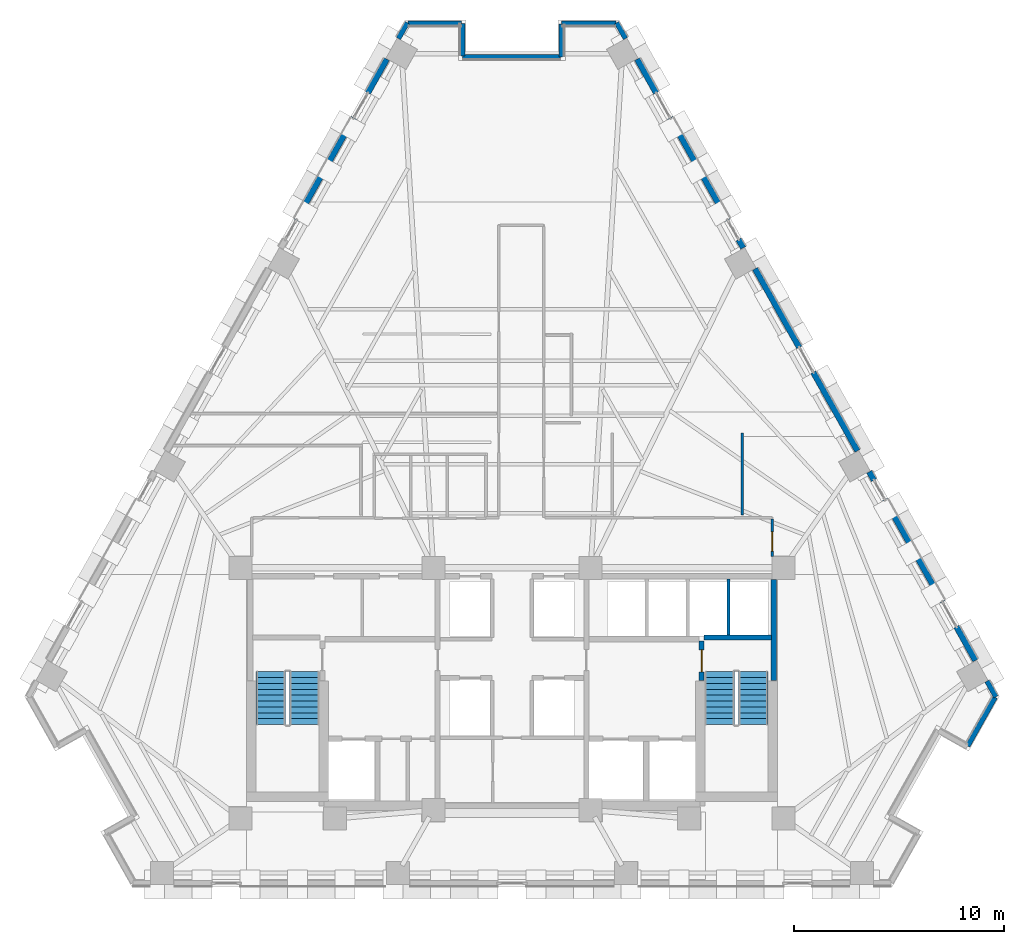
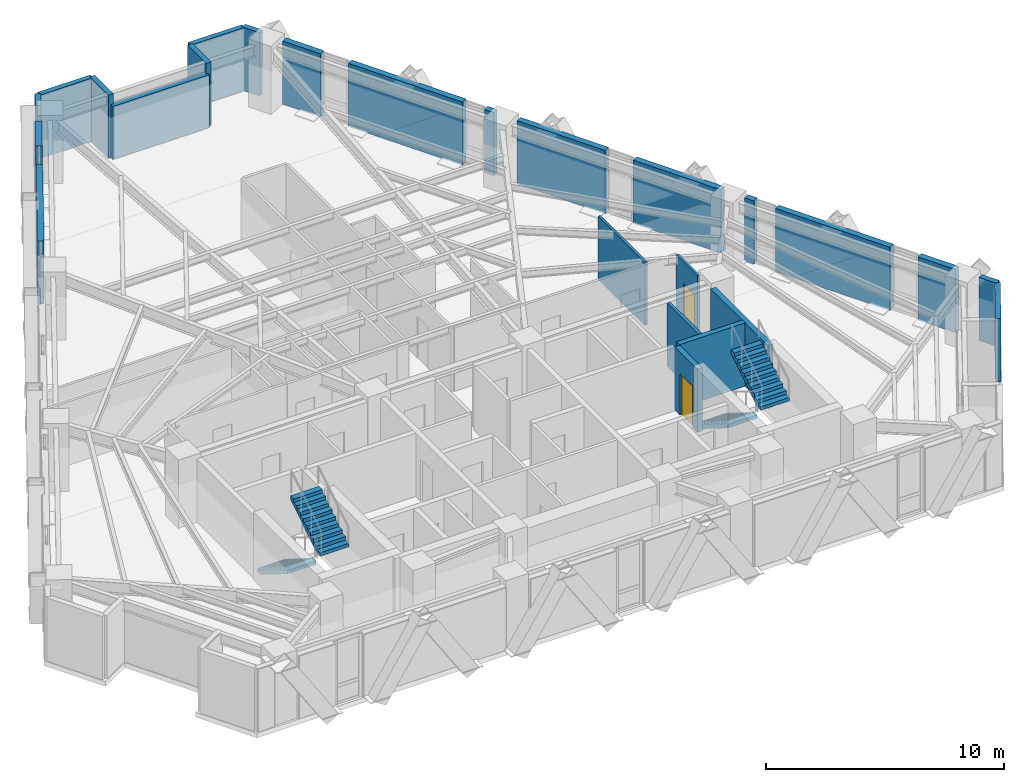
# One storey, part 9 of 13: 25 walls, 4 stair flights, 2 doors, 2 openings, 2 elements without a shape of their own.
"""IFC4 building model written with IfcOpenShell, lengths in metres."""

from ifc_helpers import new_model, si_unit, direction, frame, frame_2d, origin, place, context, subcontext, project, spatial, polyline, rectangle, outline, extrude, material, layer, layer_set, type_object, element, fill, aggregate, save


model = new_model("IFC4")

# Units and contexts
model_context = context("Model", 3, precision=1e-05, world=origin(), true_north=direction((0.0, 1.0)))
body_context = subcontext(model_context, "Body", "Model", "MODEL_VIEW")
ifc_project = project(units=[si_unit("LENGTHUNIT", "METRE"), si_unit("AREAUNIT", "SQUARE_METRE"), si_unit("VOLUMEUNIT", "CUBIC_METRE"), si_unit("PLANEANGLEUNIT", "RADIAN"), si_unit("MASSUNIT", "GRAM", prefix="KILO")], contexts=[model_context])

# Site, building, storey
site_placement = place(None, origin())
site = spatial("IfcSite", under=ifc_project, at=site_placement, CompositionType="ELEMENT")
building_placement = place(site_placement, origin())
building = spatial("IfcBuilding", under=site, at=building_placement, Name="Quenlor Broadcast Tower", CompositionType="ELEMENT")
storey_placement = place(building_placement, frame((0.0, 0.0, 105.5)))
storey = spatial("IfcBuildingStorey", under=building, at=storey_placement, Name="L28", CompositionType="ELEMENT", Elevation=105.5)

# Wall, opening, door
ifc_material_1 = material(Name="Concrete C40/50", Category="concrete")
ifc_layer_1 = layer(ifc_material_1, 0.25)
ifc_layer_set_1 = layer_set([ifc_layer_1], Name="Fire Rated Concrete C40/50 Core Wall 250")
wall_type_1 = type_object("IfcWallType", Name="Fire Rated Concrete C40/50 Core Wall 250", PredefinedType="PARTITIONING", material=ifc_layer_set_1)
wall_1_placement = place(storey_placement, frame((9.0400390625, -10.179931640625, 0.0), z_axis=(0.0, 0.0, 1.0), x_axis=(0.0, 1.0, 0.0)))
wall_1 = element("IfcWall", 1, at=wall_1_placement, inside=storey, type_object=wall_type_1, Name="L28 Interior Wall CW-ST2-DR", PredefinedType="PARTITIONING", context=body_context, shape_type="SweptSolid", body=[
    extrude(rectangle(XDim=1.89990234375, YDim=0.25, at=frame_2d((0.949951171875, 0.0))), origin(), (0.0, 0.0, 1.0), 3.25),
])
opening_1_placement = place(wall_1_placement, frame((0.419921875, 0.0, 0.0)))
opening_1 = element("IfcOpeningElement", 2, at=opening_1_placement, cuts=wall_1, Name="Opening FD-1", PredefinedType="OPENING", context=body_context, shape_type="SweptSolid", body=[
    extrude(rectangle(XDim=1.050048828125, YDim=2.14990234375, at=frame_2d((0.52490234375, 1.074951171875))), frame((0.0, 0.135009765625, 0.0), z_axis=(0.0, -1.0, 0.0), x_axis=(1.0, 0.0, 0.0)), (0.0, 0.0, 1.0), 0.27001953125),
])
ifc_material_2 = material(Name="Fire Rated Steel Door Leaf", Category="steel")
door_type_1 = type_object("IfcDoorType", Name="Fire Isolated Stair Door 1050x2150", OperationType="NOTDEFINED", PredefinedType="DOOR", material=ifc_material_2)
door_1_placement = place(opening_1_placement, origin())
door_1 = element("IfcDoor", 3, at=door_1_placement, inside=storey, type_object=door_type_1, Name="L28 Door DR-ST2", OperationType="SINGLE_SWING_RIGHT", OverallHeight=2.14990234375, OverallWidth=1.050048828125, PredefinedType="DOOR", context=body_context, shape_type="SweptSolid", body=[
    extrude(rectangle(XDim=1.050048828125, YDim=2.14990234375, at=frame_2d((0.52490234375, 1.074951171875))), frame((0.0, 0.02490234375, 0.0), z_axis=(0.0, -1.0, 0.0), x_axis=(1.0, 0.0, 0.0)), (0.0, 0.0, 1.0), 0.050048828125),
])
fill(opening_1, door_1)

# Walls
wall_2_placement = place(storey_placement, frame((9.159912109375, -8.1201171875, 0.0), z_axis=(0.0, 0.0, 1.0), x_axis=(1.0, 0.0, 0.0)))
element("IfcWall", 4, at=wall_2_placement, inside=storey, type_object=wall_type_1, Name="L28 Interior Wall CW-ST2-N", PredefinedType="PARTITIONING", context=body_context, shape_type="SweptSolid", body=[
    extrude(rectangle(XDim=3.219970703125, YDim=0.25, at=frame_2d((1.60986328125, 0.0))), origin(), (0.0, 0.0, 1.0), 3.25),
])
wall_3_placement = place(storey_placement, frame((12.47998046875, -10.179931640625, 0.0), z_axis=(0.0, 0.0, 1.0), x_axis=(0.0, 1.0, 0.0)))
element("IfcWall", 5, at=wall_3_placement, inside=storey, type_object=wall_type_1, Name="L28 Interior Wall CW-ST2-E2", PredefinedType="PARTITIONING", context=body_context, shape_type="SweptSolid", body=[
    extrude(rectangle(XDim=4.827880859375, YDim=0.25, at=frame_2d((2.4140625, 0.0))), origin(), (0.0, 0.0, 1.0), 3.25),
])
ifc_material_3 = material(Name="Gypsum Fireboard Partition", Category="other")
ifc_layer_2 = layer(ifc_material_3, 0.159912109375)
ifc_layer_set_2 = layer_set([ifc_layer_2], Name="Fire Rated Shaft and Corridor Partition 160")
wall_type_2 = type_object("IfcWallType", Name="Fire Rated Shaft and Corridor Partition 160", PredefinedType="PARTITIONING", material=ifc_layer_set_2)
wall_4_placement = place(storey_placement, frame((10.324951171875, -7.992919921875, 0.0), z_axis=(0.0, 0.0, 1.0), x_axis=(0.0, 1.0, 0.0)))
element("IfcWall", 6, at=wall_4_placement, inside=storey, type_object=wall_type_2, Name="L28 Interior Wall CW-PLH-D3", PredefinedType="PARTITIONING", context=body_context, shape_type="SweptSolid", body=[
    extrude(rectangle(XDim=2.65283203125, YDim=0.159912109375, at=frame_2d((1.326416015625, 0.0))), origin(), (0.0, 0.0, 1.0), 3.25),
])

# Wall, opening, door
ifc_material_4 = material(Name="Gypsum Plasterboard Partition", Category="other")
ifc_layer_3 = layer(ifc_material_4, 0.1201171875)
ifc_layer_set_3 = layer_set([ifc_layer_3], Name="Standard Office Partition 120")
wall_type_3 = type_object("IfcWallType", Name="Standard Office Partition 120", PredefinedType="PARTITIONING", material=ifc_layer_set_3)
wall_5_placement = place(storey_placement, frame((12.409912109375, -2.4619140625, 0.0), z_axis=(0.0, 0.0, 1.0), x_axis=(0.0, -1.0, 0.0)))
wall_5 = element("IfcWall", 7, at=wall_5_placement, inside=storey, type_object=wall_type_3, Name="L28 Interior Wall PW-CR-07", PredefinedType="PARTITIONING", context=body_context, shape_type="SweptSolid", body=[
    extrude(rectangle(XDim=1.7861328125, YDim=0.1201171875, at=frame_2d((0.89306640625, 0.0))), origin(), (0.0, 0.0, 1.0), 3.25),
])
opening_2_placement = place(wall_5_placement, frame((0.623046875, 0.0, 0.0)))
opening_2 = element("IfcOpeningElement", 8, at=opening_2_placement, cuts=wall_5, Name="Opening ID-1", PredefinedType="OPENING", context=body_context, shape_type="SweptSolid", body=[
    extrude(rectangle(XDim=0.919921875, YDim=2.1201171875, at=frame_2d((0.4599609375, 1.06005859375))), frame((0.0, 0.070068359375, 0.0), z_axis=(0.0, -1.0, 0.0), x_axis=(1.0, 0.0, 0.0)), (0.0, 0.0, 1.0), 0.14013671875),
])
ifc_material_5 = material(Name="Solid Core Timber Oak", Category="wood")
door_type_2 = type_object("IfcDoorType", Name="Single Leaf Timber Office Door 920x2120", OperationType="NOTDEFINED", PredefinedType="DOOR", material=ifc_material_5)
door_2_placement = place(opening_2_placement, origin())
door_2 = element("IfcDoor", 9, at=door_2_placement, inside=storey, type_object=door_type_2, Name="L28 Door DR-RM07", OperationType="SINGLE_SWING_LEFT", OverallHeight=2.1201171875, OverallWidth=0.919921875, PredefinedType="DOOR", context=body_context, shape_type="SweptSolid", body=[
    extrude(rectangle(XDim=0.919921875, YDim=2.1201171875, at=frame_2d((0.4599609375, 1.06005859375))), frame((0.0, 0.02490234375, 0.0), z_axis=(0.0, -1.0, 0.0), x_axis=(1.0, 0.0, 0.0)), (0.0, 0.0, 1.0), 0.050048828125),
])
fill(opening_2, door_2)

# Walls
wall_6_placement = place(storey_placement, frame((10.982421875, 1.639892578125, 0.0), z_axis=(0.0, 0.0, 1.0), x_axis=(0.0, -1.0, 0.0)))
element("IfcWall", 10, at=wall_6_placement, inside=storey, type_object=wall_type_3, Name="L28 Interior Wall PW-DV-08", PredefinedType="PARTITIONING", context=body_context, shape_type="SweptSolid", body=[
    extrude(rectangle(XDim=3.929931640625, YDim=0.1201171875, at=frame_2d((1.96484375, 0.0))), origin(), (0.0, 0.0, 1.0), 3.25),
])
ifc_material_6 = material(Name="Precast concrete C40/50", Category="concrete")
ifc_layer_4 = layer(ifc_material_6, 0.239990234375)
ifc_layer_set_4 = layer_set([ifc_layer_4], Name="Terrace Threshold Precast Concrete C40/50 Wall 240")
wall_type_4 = type_object("IfcWallType", Name="Terrace Threshold Precast Concrete C40/50 Wall 240", PredefinedType="STANDARD", material=ifc_layer_set_4)
for number, where, z_axis, x_axis, name in (
    (11, (4.992919921875, 21.197265625, 0.0), (0.0, 0.0, 1.0), (0.490355003566, -0.871522788272, 0.0), "L28 Exterior Wall L28-SHD-NES0"),
    (12, (22.65380859375, -10.199951171875, 0.0), (0.0, 0.0, 1.0), (0.490355003566, -0.871522788272, 0.0), "L28 Exterior Wall L28-SHD-NES1"),
    (13, (-5.417236328125, 20.443115234375, 0.0), (0.0, 0.0, 1.0), (0.490355003566, 0.871522788272, 0.0), "L28 Exterior Wall L28-SHD-NWS1"),
):
    element("IfcWall", number, at=place(storey_placement, frame(where, z_axis=z_axis, x_axis=x_axis)), inside=storey, type_object=wall_type_4, Name=name, PredefinedType="STANDARD", context=body_context, shape_type="SweptSolid", body=[
        extrude(rectangle(XDim=0.865234375, YDim=0.239990234375, at=frame_2d((0.4326171875, 0.0))), origin(), (0.0, 0.0, 1.0), 3.25),
    ])
wall_7_placement = place(storey_placement, frame((21.732666015625, -13.293701171875, 0.0), z_axis=(0.0, 0.0, 1.0), x_axis=(0.490265590412, 0.871573089797, 0.0)))
element("IfcWall", 14, at=wall_7_placement, inside=storey, type_object=wall_type_4, Name="L28 Exterior Wall L28-CNR-04", PredefinedType="STANDARD", context=body_context, shape_type="SweptSolid", body=[
    extrude(rectangle(XDim=2.6640625, YDim=0.239990234375, at=frame_2d((1.33203125, 0.0))), origin(), (0.0, 0.0, 1.0), 3.25),
])
wall_8_placement = place(storey_placement, frame((4.95947265625, 21.16796875, 0.0), z_axis=(0.0, 0.0, 1.0), x_axis=(-1.0, 0.0, 0.0)))
element("IfcWall", 15, at=wall_8_placement, inside=storey, type_object=wall_type_4, Name="L28 Exterior Wall L28-CNR-06", PredefinedType="STANDARD", context=body_context, shape_type="SweptSolid", body=[
    extrude(rectangle(XDim=2.599365234375, YDim=0.239990234375, at=frame_2d((1.2998046875, 0.0))), origin(), (0.0, 0.0, 1.0), 3.25),
])
wall_9_placement = place(storey_placement, frame((2.360107421875, 21.1279296875, 0.0), z_axis=(0.0, 0.0, 1.0), x_axis=(0.0, -1.0, 0.0)))
element("IfcWall", 16, at=wall_9_placement, inside=storey, type_object=wall_type_4, Name="L28 Exterior Wall L28-CNR-07", PredefinedType="STANDARD", context=body_context, shape_type="SweptSolid", body=[
    extrude(rectangle(XDim=1.559814453125, YDim=0.239990234375, at=frame_2d((0.77978515625, 0.0))), origin(), (0.0, 0.0, 1.0), 3.25),
])
wall_10_placement = place(storey_placement, frame((2.320068359375, 19.568115234375, 0.0), z_axis=(0.0, 0.0, 1.0), x_axis=(-1.0, 0.0, 0.0)))
element("IfcWall", 17, at=wall_10_placement, inside=storey, type_object=wall_type_4, Name="L28 Exterior Wall L28-CNR-08", PredefinedType="STANDARD", context=body_context, shape_type="SweptSolid", body=[
    extrude(rectangle(XDim=4.68017578125, YDim=0.239990234375, at=frame_2d((2.340087890625, 0.0))), origin(), (0.0, 0.0, 1.0), 2.7216796875),
])
wall_11_placement = place(storey_placement, frame((-2.360107421875, 19.60791015625, 0.0), z_axis=(0.0, 0.0, 1.0), x_axis=(0.0, 1.0, 0.0)))
element("IfcWall", 18, at=wall_11_placement, inside=storey, type_object=wall_type_4, Name="L28 Exterior Wall L28-CNR-09", PredefinedType="STANDARD", context=body_context, shape_type="SweptSolid", body=[
    extrude(rectangle(XDim=1.56005859375, YDim=0.239990234375, at=frame_2d((0.780029296875, 0.0))), origin(), (0.0, 0.0, 1.0), 3.25),
])
wall_12_placement = place(storey_placement, frame((-2.39990234375, 21.16796875, 0.0), z_axis=(0.0, 0.0, 1.0), x_axis=(-1.0, 0.0, 0.0)))
element("IfcWall", 19, at=wall_12_placement, inside=storey, type_object=wall_type_4, Name="L28 Exterior Wall L28-CNR-10", PredefinedType="STANDARD", context=body_context, shape_type="SweptSolid", body=[
    extrude(rectangle(XDim=2.5595703125, YDim=0.239990234375, at=frame_2d((1.27978515625, 0.0))), origin(), (0.0, 0.0, 1.0), 3.25),
])
ifc_material_7 = material(Name="Precast concrete C40/50", Category="concrete")
ifc_layer_5 = layer(ifc_material_7, 0.280029296875)
ifc_layer_set_5 = layer_set([ifc_layer_5], Name="Terracotta Precast Concrete C40/50 Facade Wall 280")
wall_type_5 = type_object("IfcWallType", Name="Terracotta Precast Concrete C40/50 Facade Wall 280", PredefinedType="STANDARD", material=ifc_layer_set_5)
wall_13_placement = place(storey_placement, frame((5.97119140625, 19.458251953125, 0.0), z_axis=(0.0, 0.0, 1.0), x_axis=(0.490280102884, -0.871564926277, 0.0)))
element("IfcWall", 20, at=wall_13_placement, inside=storey, type_object=wall_type_5, Name="L28 Exterior Wall L28-NEA-SP1", PredefinedType="STANDARD", context=body_context, shape_type="SweptSolid", body=[
    extrude(rectangle(XDim=1.843505859375, YDim=0.280029296875, at=frame_2d((0.921875, 0.0))), origin(), (0.0, 0.0, 1.0), 3.25),
])
wall_14_placement = place(storey_placement, frame((7.543701171875, 16.662353515625, 0.0), z_axis=(0.0, 0.0, 1.0), x_axis=(0.490298514233, -0.871554569113, 0.0)))
element("IfcWall", 21, at=wall_14_placement, inside=storey, type_object=wall_type_5, Name="L28 Exterior Wall L28-NEA-SP2", PredefinedType="STANDARD", context=body_context, shape_type="SweptSolid", body=[
    extrude(rectangle(XDim=5.597412109375, YDim=0.280029296875, at=frame_2d((2.798828125, 0.0))), origin(), (0.0, 0.0, 1.0), 3.25),
])
for number, where, z_axis, x_axis, name in (
    (22, (10.806396484375, 10.862060546875, 0.0), (0.0, 0.0, 1.0), (0.490412424957, -0.871490478116, 0.0), "L28 Exterior Wall L28-NEA-SP3"),
    (23, (17.0390625, -0.218017578125, 0.0), (0.0, 0.0, 1.0), (0.490009165718, -0.871717280724, 0.0), "L28 Exterior Wall L28-NEC-SP1"),
):
    element("IfcWall", number, at=place(storey_placement, frame(where, z_axis=z_axis, x_axis=x_axis)), inside=storey, type_object=wall_type_5, Name=name, PredefinedType="STANDARD", context=body_context, shape_type="SweptSolid", body=[
        extrude(rectangle(XDim=0.4599609375, YDim=0.280029296875, at=frame_2d((0.22998046875, 0.0))), origin(), (0.0, 0.0, 1.0), 3.25),
    ])
wall_15_placement = place(storey_placement, frame((17.782958984375, -1.540771484375, 0.0), z_axis=(0.0, 0.0, 1.0), x_axis=(0.490265381388, -0.871573207374, 0.0)))
element("IfcWall", 24, at=wall_15_placement, inside=storey, type_object=wall_type_5, Name="L28 Exterior Wall L28-NEC-SP2", PredefinedType="STANDARD", context=body_context, shape_type="SweptSolid", body=[
    extrude(rectangle(XDim=5.59716796875, YDim=0.280029296875, at=frame_2d((2.798583984375, 0.0))), origin(), (0.0, 0.0, 1.0), 3.25),
])
wall_16_placement = place(storey_placement, frame((21.196044921875, -7.6083984375, 0.0), z_axis=(0.0, 0.0, 1.0), x_axis=(0.490280102884, -0.871564926277, 0.0)))
element("IfcWall", 25, at=wall_16_placement, inside=storey, type_object=wall_type_5, Name="L28 Exterior Wall L28-NEC-SP3", PredefinedType="STANDARD", context=body_context, shape_type="SweptSolid", body=[
    extrude(rectangle(XDim=1.843505859375, YDim=0.280029296875, at=frame_2d((0.921875, 0.0))), origin(), (0.0, 0.0, 1.0), 3.25),
])
for number, where, z_axis, x_axis, name in (
    (26, (11.59326171875, 9.463134765625, 0.0), (0.0, 0.0, 1.0), (0.490293592365, -0.871557337922, 0.0), "L28 Exterior Wall L28-NE-SP1"),
    (27, (14.369873046875, 4.527099609375, 0.0), (0.0, 0.0, 1.0), (0.490293592365, -0.871557337922, 0.0), "L28 Exterior Wall L28-NE-SP2"),
):
    element("IfcWall", number, at=place(storey_placement, frame(where, z_axis=z_axis, x_axis=x_axis)), inside=storey, type_object=wall_type_5, Name=name, PredefinedType="STANDARD", context=body_context, shape_type="SweptSolid", body=[
        extrude(rectangle(XDim=4.29931640625, YDim=0.280029296875, at=frame_2d((2.149658203125, 0.0))), origin(), (0.0, 0.0, 1.0), 3.25),
    ])
wall_17_placement = place(storey_placement, frame((-10.2880859375, 11.783935546875, 0.0), z_axis=(0.0, 0.0, 1.0), x_axis=(0.490298514233, 0.871554569113, 0.0)))
element("IfcWall", 28, at=wall_17_placement, inside=storey, type_object=wall_type_5, Name="L28 Exterior Wall L28-NWC-SP2", PredefinedType="STANDARD", context=body_context, shape_type="SweptSolid", body=[
    extrude(rectangle(XDim=5.597412109375, YDim=0.280029296875, at=frame_2d((2.798828125, 0.0))), origin(), (0.0, 0.0, 1.0), 3.25),
])
wall_18_placement = place(storey_placement, frame((-6.875, 17.8515625, 0.0), z_axis=(0.0, 0.0, 1.0), x_axis=(0.490280102884, 0.871564926277, 0.0)))
element("IfcWall", 29, at=wall_18_placement, inside=storey, type_object=wall_type_5, Name="L28 Exterior Wall L28-NWC-SP3", PredefinedType="STANDARD", context=body_context, shape_type="SweptSolid", body=[
    extrude(rectangle(XDim=1.843505859375, YDim=0.280029296875, at=frame_2d((0.921875, 0.0))), origin(), (0.0, 0.0, 1.0), 3.25),
])

# Stair, stair flights
ifc_material_8 = material(Name="Precast concrete C40/50", Category="concrete")
stair_type = type_object("IfcStairType", Name="Precast Concrete C40/50 Dogleg Stair H350", PredefinedType="HALF_TURN_STAIR", material=ifc_material_8)
stair_1_placement = place(storey_placement, origin())
stair_1 = element("IfcStair", 30, at=stair_1_placement, inside=storey, type_object=stair_type, Name="L28 West Core Fire-Isolated Exit Stair ST-1", PredefinedType="HALF_TURN_STAIR")
ifc_material_9 = material(Name="Precast concrete C40/50", Category="concrete")
ifc_layer_6 = layer(ifc_material_9, 0.159912109375)
ifc_layer_set_6 = layer_set([ifc_layer_6], Name="Precast Concrete C40/50 Stair Flight H350")
stair_flight_type = type_object("IfcStairFlightType", Name="Precast Concrete C40/50 Stair Flight H350", PredefinedType="STRAIGHT", material=ifc_layer_set_6)
stair_flight_1_placement = place(storey_placement, frame((-11.5, -9.75, 0.0), z_axis=(0.0, 0.0, 1.0), x_axis=(0.0, -1.0, 0.0)))
stair_flight_1 = element("IfcStairFlight", 31, at=stair_flight_1_placement, type_object=stair_flight_type, Name="ST-1 flight 1", NumberOfRisers=10, NumberOfTreads=9, PredefinedType="STRAIGHT", RiserHeight=0.175, TreadLength=0.28, context=body_context, shape_type="SweptSolid", body=[
    extrude(outline(polyline([(0.0, 0.0), (0.0, 0.175048828125), (0.280029296875, 0.175048828125), (0.280029296875, 0.35009765625), (0.56005859375, 0.35009765625), (0.56005859375, 0.52490234375), (0.840087890625, 0.52490234375), (0.840087890625, 0.699951171875), (1.1201171875, 0.699951171875), (1.1201171875, 0.875), (1.39990234375, 0.875), (1.39990234375, 1.050048828125), (1.679931640625, 1.050048828125), (1.679931640625, 1.22509765625), (1.9599609375, 1.22509765625), (1.9599609375, 1.39990234375), (2.239990234375, 1.39990234375), (2.239990234375, 1.574951171875), (2.52001953125, 1.574951171875), (2.52001953125, 1.75), (2.52001953125, 1.398193359375), (0.28271484375, 0.0), (0.0, 0.0)])), frame((0.0, 0.699951171875, 0.0), z_axis=(0.0, -1.0, 0.0), x_axis=(1.0, 0.0, 0.0)), (0.0, 0.0, 1.0), 1.39990234375),
])
stair_flight_2_placement = place(storey_placement, frame((-9.89990234375, -12.27001953125, 1.75), z_axis=(0.0, 0.0, 1.0), x_axis=(0.0, 1.0, 0.0)))
stair_flight_2 = element("IfcStairFlight", 32, at=stair_flight_2_placement, type_object=stair_flight_type, Name="ST-1 flight 2", NumberOfRisers=10, NumberOfTreads=9, PredefinedType="STRAIGHT", RiserHeight=0.175, TreadLength=0.28, context=body_context, shape_type="SweptSolid", body=[
    extrude(outline(polyline([(0.0, 0.0), (0.0, 0.175048828125), (0.280029296875, 0.175048828125), (0.280029296875, 0.35009765625), (0.56005859375, 0.35009765625), (0.56005859375, 0.52490234375), (0.840087890625, 0.52490234375), (0.840087890625, 0.699951171875), (1.1201171875, 0.699951171875), (1.1201171875, 0.875), (1.39990234375, 0.875), (1.39990234375, 1.050048828125), (1.679931640625, 1.050048828125), (1.679931640625, 1.22509765625), (1.9599609375, 1.22509765625), (1.9599609375, 1.39990234375), (2.239990234375, 1.39990234375), (2.239990234375, 1.574951171875), (2.52001953125, 1.574951171875), (2.52001953125, 1.75), (2.52001953125, 1.398193359375), (0.28271484375, 0.0), (0.0, 0.0)])), frame((0.0, 0.699951171875, 0.0), z_axis=(0.0, -1.0, 0.0), x_axis=(1.0, 0.0, 0.0)), (0.0, 0.0, 1.0), 1.39990234375),
])
aggregate(stair_1, [stair_flight_1, stair_flight_2])

stair_2_placement = place(storey_placement, origin())
stair_2 = element("IfcStair", 33, at=stair_2_placement, inside=storey, type_object=stair_type, Name="L28 East Core Fire-Isolated Exit Stair ST-2", PredefinedType="HALF_TURN_STAIR")
stair_flight_3_placement = place(storey_placement, frame((9.89990234375, -9.75, 0.0), z_axis=(0.0, 0.0, 1.0), x_axis=(0.0, -1.0, 0.0)))
stair_flight_3 = element("IfcStairFlight", 34, at=stair_flight_3_placement, type_object=stair_flight_type, Name="ST-2 flight 1", NumberOfRisers=10, NumberOfTreads=9, PredefinedType="STRAIGHT", RiserHeight=0.175, TreadLength=0.28, context=body_context, shape_type="SweptSolid", body=[
    extrude(outline(polyline([(0.0, 0.0), (0.0, 0.175048828125), (0.280029296875, 0.175048828125), (0.280029296875, 0.35009765625), (0.56005859375, 0.35009765625), (0.56005859375, 0.52490234375), (0.840087890625, 0.52490234375), (0.840087890625, 0.699951171875), (1.1201171875, 0.699951171875), (1.1201171875, 0.875), (1.39990234375, 0.875), (1.39990234375, 1.050048828125), (1.679931640625, 1.050048828125), (1.679931640625, 1.22509765625), (1.9599609375, 1.22509765625), (1.9599609375, 1.39990234375), (2.239990234375, 1.39990234375), (2.239990234375, 1.574951171875), (2.52001953125, 1.574951171875), (2.52001953125, 1.75), (2.52001953125, 1.398193359375), (0.28271484375, 0.0), (0.0, 0.0)])), frame((0.0, 0.699951171875, 0.0), z_axis=(0.0, -1.0, 0.0), x_axis=(1.0, 0.0, 0.0)), (0.0, 0.0, 1.0), 1.39990234375),
])
stair_flight_4_placement = place(storey_placement, frame((11.5, -12.27001953125, 1.75), z_axis=(0.0, 0.0, 1.0), x_axis=(0.0, 1.0, 0.0)))
stair_flight_4 = element("IfcStairFlight", 35, at=stair_flight_4_placement, type_object=stair_flight_type, Name="ST-2 flight 2", NumberOfRisers=10, NumberOfTreads=9, PredefinedType="STRAIGHT", RiserHeight=0.175, TreadLength=0.28, context=body_context, shape_type="SweptSolid", body=[
    extrude(outline(polyline([(0.0, 0.0), (0.0, 0.175048828125), (0.280029296875, 0.175048828125), (0.280029296875, 0.35009765625), (0.56005859375, 0.35009765625), (0.56005859375, 0.52490234375), (0.840087890625, 0.52490234375), (0.840087890625, 0.699951171875), (1.1201171875, 0.699951171875), (1.1201171875, 0.875), (1.39990234375, 0.875), (1.39990234375, 1.050048828125), (1.679931640625, 1.050048828125), (1.679931640625, 1.22509765625), (1.9599609375, 1.22509765625), (1.9599609375, 1.39990234375), (2.239990234375, 1.39990234375), (2.239990234375, 1.574951171875), (2.52001953125, 1.574951171875), (2.52001953125, 1.75), (2.52001953125, 1.398193359375), (0.28271484375, 0.0), (0.0, 0.0)])), frame((0.0, 0.699951171875, 0.0), z_axis=(0.0, -1.0, 0.0), x_axis=(1.0, 0.0, 0.0)), (0.0, 0.0, 1.0), 1.39990234375),
])
aggregate(stair_2, [stair_flight_3, stair_flight_4])

save(model, "model.ifc")
